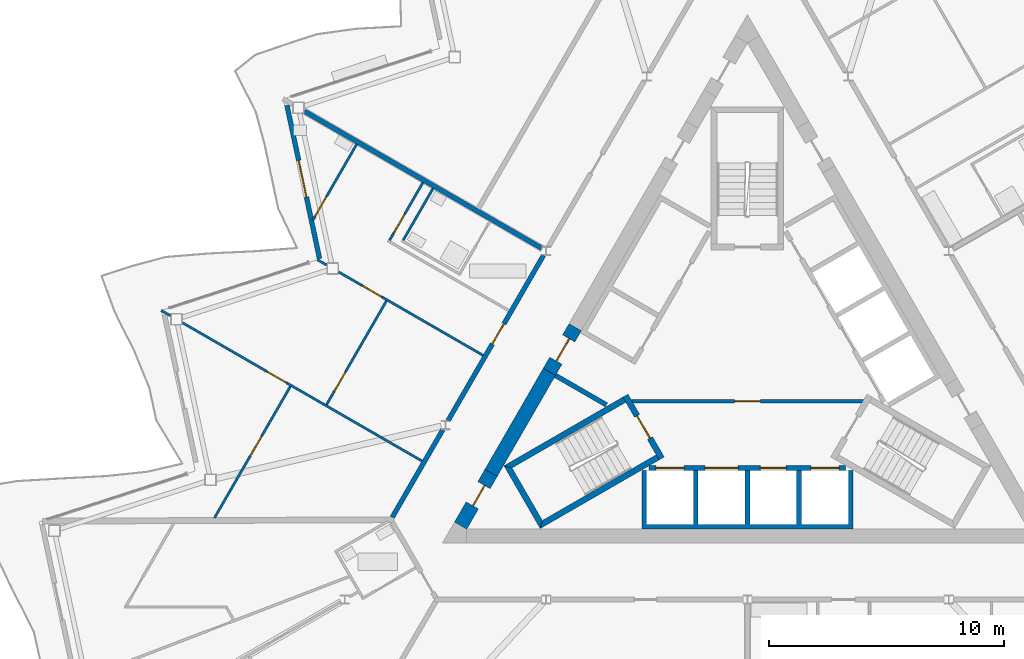
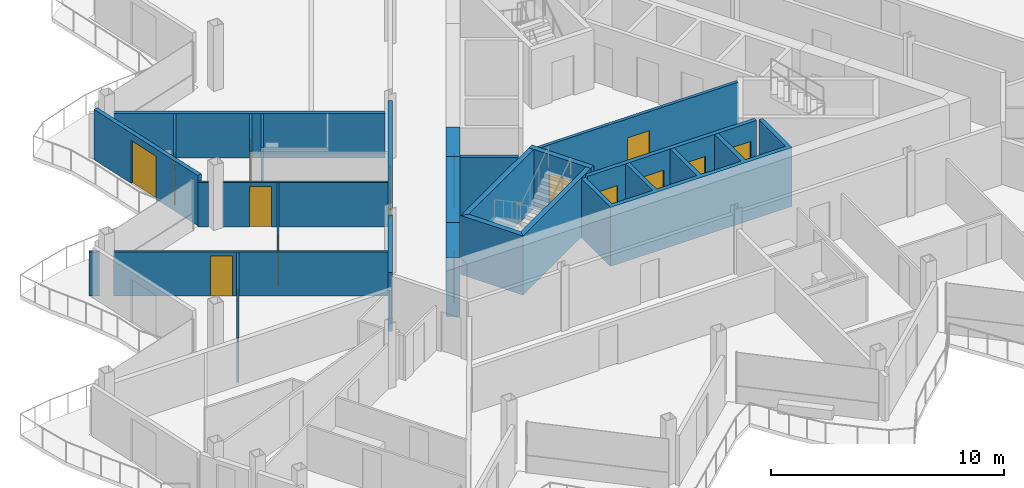
# One storey, part 13 of 26: 24 walls, 16 doors, 16 openings.
"""IFC4 building model written with IfcOpenShell, lengths in metres."""

from ifc_helpers import new_model, si_unit, direction, frame, frame_2d, origin, place, context, subcontext, project, spatial, polyline, rectangle, outline, extrude, material, layer, layer_set, type_object, element, fill, save


model = new_model("IFC4")

# Units and contexts
model_context = context("Model", 3, precision=1e-05, world=origin(), true_north=direction((0.0, 1.0)))
body_context = subcontext(model_context, "Body", "Model", "MODEL_VIEW")
ifc_project = project(units=[si_unit("LENGTHUNIT", "METRE"), si_unit("AREAUNIT", "SQUARE_METRE"), si_unit("VOLUMEUNIT", "CUBIC_METRE"), si_unit("PLANEANGLEUNIT", "RADIAN"), si_unit("MASSUNIT", "GRAM", prefix="KILO")], contexts=[model_context])

# Site, building, storey
site_placement = place(None, origin())
site = spatial("IfcSite", under=ifc_project, at=site_placement, CompositionType="ELEMENT")
building_placement = place(site_placement, origin())
building = spatial("IfcBuilding", under=site, at=building_placement, Name="Cormorant Prow Tower", CompositionType="ELEMENT")
storey_placement = place(building_placement, frame((0.0, 0.0, 367.800048828125)))
storey = spatial("IfcBuildingStorey", under=building, at=storey_placement, Name="L82", CompositionType="ELEMENT", Elevation=367.800048828125)

# Wall, opening, door
ifc_material_1 = material(Name="Gypsum board partition")
ifc_layer_1 = layer(ifc_material_1, 0.14990234375)
ifc_layer_set_1 = layer_set([ifc_layer_1], Name="Gypsum board partition")
wall_type_1 = type_object("IfcWallType", Name="Core partition 150", PredefinedType="PARTITIONING", material=ifc_layer_set_1)
wall_1_placement = place(storey_placement, frame((-4.941162109375, -1.449951171875, 0.0), z_axis=(0.0, 0.0, 1.0), x_axis=(1.0, 0.0, 0.0)))
wall_1 = element("IfcWall", 1, at=wall_1_placement, inside=storey, type_object=wall_type_1, Name="Firefighting lobby partition", PredefinedType="PARTITIONING", context=body_context, shape_type="SweptSolid", body=[
    extrude(rectangle(XDim=9.88232421875, YDim=0.14990234375, at=frame_2d((4.941162109375, 0.0))), origin(), (0.0, 0.0, 1.0), 3.099853515625),
])
opening_1_placement = place(wall_1_placement, frame((4.39111328125, 0.0, 0.0)))
opening_1 = element("IfcOpeningElement", 2, at=opening_1_placement, cuts=wall_1, Name="Opening L82-C11", PredefinedType="OPENING", context=body_context, shape_type="SweptSolid", body=[
    extrude(rectangle(XDim=1.10009765625, YDim=2.10009765625, at=frame_2d((0.550048828125, 1.050048828125))), frame((0.0, 0.0849609375, 0.0), z_axis=(0.0, -1.0, 0.0), x_axis=(1.0, 0.0, 0.0)), (0.0, 0.0, 1.0), 0.169921875),
])
ifc_material_2 = material(Name="Painted steel", Category="steel")
door_type_1 = type_object("IfcDoorType", Name="Firefighting lobby door 1100x2100", OperationType="NOTDEFINED", PredefinedType="DOOR", material=ifc_material_2)
door_1_placement = place(opening_1_placement, origin())
door_1 = element("IfcDoor", 3, at=door_1_placement, inside=storey, type_object=door_type_1, Name="Firefighting lobby door", OperationType="SINGLE_SWING_LEFT", OverallHeight=2.10009765625, OverallWidth=1.10009765625, PredefinedType="DOOR", context=body_context, shape_type="SweptSolid", body=[
    extrude(rectangle(XDim=1.10009765625, YDim=2.10009765625, at=frame_2d((0.550048828125, 1.050048828125))), frame((0.0, 0.02490234375, 0.0), z_axis=(0.0, -1.0, 0.0), x_axis=(1.0, 0.0, 0.0)), (0.0, 0.0, 1.0), 0.050048828125),
])
fill(opening_1, door_1)

# Wall
ifc_material_3 = material(Name="Concrete 8000 psi", Category="concrete")
ifc_layer_2 = layer(ifc_material_3, 0.60009765625)
ifc_layer_set_2 = layer_set([ifc_layer_2], Name="Concrete 8000 psi")
wall_type_2 = type_object("IfcWallType", Name="Core shear wall 600", PredefinedType="SHEAR", material=ifc_layer_set_2)
wall_2_placement = place(storey_placement, frame((-8.440185546875, -0.207763671875, 0.0), z_axis=(0.0, 0.0, 1.0), x_axis=(-0.500007425856, -0.866021116422, 0.0)))
element("IfcWall", 4, at=wall_2_placement, inside=storey, type_object=wall_type_2, Name="Core wall", PredefinedType="SHEAR", context=body_context, shape_type="SweptSolid", body=[
    extrude(rectangle(XDim=4.96875, YDim=0.60009765625, at=frame_2d((2.484375, 0.0))), origin(), (0.0, 0.0, 1.0), 3.099853515625),
])

# Wall, opening, door
wall_3_placement = place(storey_placement, frame((-10.924560546875, -4.5107421875, 0.0), z_axis=(0.0, 0.0, 1.0), x_axis=(-0.500018667571, -0.866014625789, 0.0)))
wall_3 = element("IfcWall", 5, at=wall_3_placement, inside=storey, type_object=wall_type_2, Name="Core wall door panel", PredefinedType="SHEAR", context=body_context, shape_type="SweptSolid", body=[
    extrude(rectangle(XDim=2.59228515625, YDim=0.60009765625, at=frame_2d((1.296142578125, 0.0))), origin(), (0.0, 0.0, 1.0), 3.099853515625),
])
opening_2_placement = place(wall_3_placement, frame((0.60009765625, 0.0, 0.0)))
opening_2 = element("IfcOpeningElement", 6, at=opening_2_placement, cuts=wall_3, Name="Opening L82-C15", PredefinedType="OPENING", context=body_context, shape_type="SweptSolid", body=[
    extrude(rectangle(XDim=1.0, YDim=2.10009765625, at=frame_2d((0.5, 1.050048828125))), frame((0.0, 0.31005859375, 0.0), z_axis=(0.0, -1.0, 0.0), x_axis=(1.0, 0.0, 0.0)), (0.0, 0.0, 1.0), 0.6201171875),
])
ifc_material_4 = material(Name="Painted steel", Category="steel")
door_type_2 = type_object("IfcDoorType", Name="Service door 1000x2100", OperationType="NOTDEFINED", PredefinedType="DOOR", material=ifc_material_4)
door_2_placement = place(opening_2_placement, origin())
door_2 = element("IfcDoor", 7, at=door_2_placement, inside=storey, type_object=door_type_2, Name="Core door, Electrical room", OperationType="SINGLE_SWING_RIGHT", OverallHeight=2.10009765625, OverallWidth=1.0, PredefinedType="DOOR", context=body_context, shape_type="SweptSolid", body=[
    extrude(rectangle(XDim=1.0, YDim=2.10009765625, at=frame_2d((0.5, 1.050048828125))), frame((0.0, 0.05517578125, 0.0), z_axis=(0.0, -1.0, 0.0), x_axis=(1.0, 0.0, 0.0)), (0.0, 0.0, 1.0), 0.050048828125),
])
fill(opening_2, door_2)

wall_4_placement = place(storey_placement, frame((-7.340087890625, 1.697509765625, 0.0), z_axis=(0.0, 0.0, 1.0), x_axis=(-0.50002983664, -0.866008176907, 0.0)))
wall_4 = element("IfcWall", 8, at=wall_4_placement, inside=storey, type_object=wall_type_2, Name="Core wall door panel", PredefinedType="SHEAR", context=body_context, shape_type="SweptSolid", body=[
    extrude(rectangle(XDim=2.199951171875, YDim=0.60009765625, at=frame_2d((1.10009765625, 0.0))), origin(), (0.0, 0.0, 1.0), 3.099853515625),
])
opening_3_placement = place(wall_4_placement, frame((0.550048828125, 0.0, 0.0)))
opening_3 = element("IfcOpeningElement", 9, at=opening_3_placement, cuts=wall_4, Name="Opening L82-C20", PredefinedType="OPENING", context=body_context, shape_type="SweptSolid", body=[
    extrude(rectangle(XDim=1.10009765625, YDim=2.10009765625, at=frame_2d((0.550048828125, 1.050048828125))), frame((0.0, 0.31005859375, 0.0), z_axis=(0.0, -1.0, 0.0), x_axis=(1.0, 0.0, 0.0)), (0.0, 0.0, 1.0), 0.6201171875),
])
ifc_material_5 = material(Name="Painted steel", Category="steel")
door_type_3 = type_object("IfcDoorType", Name="Core door 1100x2100", OperationType="NOTDEFINED", PredefinedType="DOOR", material=ifc_material_5)
door_3_placement = place(opening_3_placement, origin())
door_3 = element("IfcDoor", 10, at=door_3_placement, inside=storey, type_object=door_type_3, Name="Core door, lift lobby", OperationType="SINGLE_SWING_RIGHT", OverallHeight=2.10009765625, OverallWidth=1.10009765625, PredefinedType="DOOR", context=body_context, shape_type="SweptSolid", body=[
    extrude(rectangle(XDim=1.10009765625, YDim=2.10009765625, at=frame_2d((0.550048828125, 1.050048828125))), frame((0.0, 0.05517578125, 0.0), z_axis=(0.0, -1.0, 0.0), x_axis=(1.0, 0.0, 0.0)), (0.0, 0.0, 1.0), 0.050048828125),
])
fill(opening_3, door_3)

ifc_material_6 = material(Name="Gypsum board corridor wall")
ifc_layer_3 = layer(ifc_material_6, 0.199951171875)
ifc_layer_set_3 = layer_set([ifc_layer_3], Name="Gypsum board corridor wall")
wall_type_3 = type_object("IfcWallType", Name="Corridor wall 200", PredefinedType="PARTITIONING", material=ifc_layer_set_3)
wall_5_placement = place(storey_placement, frame((-12.75390625, -2.279296875, 0.0), z_axis=(0.0, 0.0, 1.0), x_axis=(0.500001682468, 0.866024432409, 0.0)))
wall_5 = element("IfcWall", 11, at=wall_5_placement, inside=storey, type_object=wall_type_3, Name="Corridor wall", PredefinedType="PARTITIONING", context=body_context, shape_type="SweptSolid", body=[
    extrude(rectangle(XDim=8.12353515625, YDim=0.199951171875, at=frame_2d((4.061767578125, 0.0))), origin(), (0.0, 0.0, 1.0), 3.099853515625),
])
opening_4_placement = place(wall_5_placement, frame((3.762451171875, 0.0, 0.0)))
opening_4 = element("IfcOpeningElement", 12, at=opening_4_placement, cuts=wall_5, Name="Opening L82-F37", PredefinedType="OPENING", context=body_context, shape_type="SweptSolid", body=[
    extrude(rectangle(XDim=1.0, YDim=2.10009765625, at=frame_2d((0.5, 1.050048828125))), frame((0.0, 0.10986328125, 0.0), z_axis=(0.0, -1.0, 0.0), x_axis=(1.0, 0.0, 0.0)), (0.0, 0.0, 1.0), 0.219970703125),
])
ifc_material_7 = material(Name="Timber door leaf", Category="wood")
door_type_4 = type_object("IfcDoorType", Name="Flat or room entrance door 1000x2100", OperationType="NOTDEFINED", PredefinedType="DOOR", material=ifc_material_7)
door_4_placement = place(opening_4_placement, origin())
door_4 = element("IfcDoor", 13, at=door_4_placement, inside=storey, type_object=door_type_4, Name="Living room door", OperationType="SINGLE_SWING_LEFT", OverallHeight=2.10009765625, OverallWidth=1.0, PredefinedType="DOOR", context=body_context, shape_type="SweptSolid", body=[
    extrude(rectangle(XDim=1.0, YDim=2.10009765625, at=frame_2d((0.5, 1.050048828125))), frame((0.0, 0.02490234375, 0.0), z_axis=(0.0, -1.0, 0.0), x_axis=(1.0, 0.0, 0.0)), (0.0, 0.0, 1.0), 0.050048828125),
])
fill(opening_4, door_4)

# Walls
wall_6_placement = place(storey_placement, frame((-15.13134765625, -6.397216796875, 0.0), z_axis=(0.0, 0.0, 1.0), x_axis=(0.499986217557, 0.866033360935, 0.0)))
element("IfcWall", 14, at=wall_6_placement, inside=storey, type_object=wall_type_3, Name="Corridor wall", PredefinedType="PARTITIONING", context=body_context, shape_type="SweptSolid", body=[
    extrude(rectangle(XDim=4.2998046875, YDim=0.199951171875, at=frame_2d((2.14990234375, 0.0))), origin(), (0.0, 0.0, 1.0), 3.099853515625),
])
ifc_material_8 = material(Name="Gypsum board demising wall")
ifc_layer_4 = layer(ifc_material_8, 0.199951171875)
ifc_layer_set_4 = layer_set([ifc_layer_4], Name="Gypsum board demising wall")
wall_type_4 = type_object("IfcWallType", Name="Demising wall 200", PredefinedType="PARTITIONING", material=ifc_layer_set_4)
wall_7_placement = place(storey_placement, frame((-18.86865234375, 10.893798828125, 0.0), z_axis=(0.0, 0.0, 1.0), x_axis=(0.866023724155, -0.500002909193, 0.0)))
element("IfcWall", 15, at=wall_7_placement, inside=storey, type_object=wall_type_4, Name="Demising wall", PredefinedType="PARTITIONING", context=body_context, shape_type="SweptSolid", body=[
    extrude(rectangle(XDim=11.65478515625, YDim=0.199951171875, at=frame_2d((5.827392578125, 0.0))), origin(), (0.0, 0.0, 1.0), 2.330078125),
])

# Wall, opening, door
ifc_material_9 = material(Name="Gypsum board partition")
ifc_layer_5 = layer(ifc_material_9, 0.10009765625)
ifc_layer_set_5 = layer_set([ifc_layer_5], Name="Gypsum board partition")
wall_type_5 = type_object("IfcWallType", Name="Internal partition 100", PredefinedType="PARTITIONING", material=ifc_layer_set_5)
wall_8_placement = place(storey_placement, frame((-24.068603515625, 1.88720703125, 0.0), z_axis=(0.0, 0.0, 1.0), x_axis=(0.866023404247, -0.500003463284, 0.0)))
wall_8 = element("IfcWall", 16, at=wall_8_placement, inside=storey, type_object=wall_type_5, Name="Internal partition", PredefinedType="PARTITIONING", context=body_context, shape_type="SweptSolid", body=[
    extrude(rectangle(XDim=11.7822265625, YDim=0.10009765625, at=frame_2d((5.89111328125, 0.0))), origin(), (0.0, 0.0, 1.0), 2.330078125),
])
opening_5_placement = place(wall_8_placement, frame((4.162109375, 0.0, 0.0)))
opening_5 = element("IfcOpeningElement", 17, at=opening_5_placement, cuts=wall_8, Name="Opening L82-F42", PredefinedType="OPENING", context=body_context, shape_type="SweptSolid", body=[
    extrude(rectangle(XDim=0.949951171875, YDim=2.10009765625, at=frame_2d((0.47509765625, 1.050048828125))), frame((0.0, 0.06005859375, 0.0), z_axis=(0.0, -1.0, 0.0), x_axis=(1.0, 0.0, 0.0)), (0.0, 0.0, 1.0), 0.1201171875),
])
ifc_material_10 = material(Name="Timber door leaf", Category="wood")
door_type_5 = type_object("IfcDoorType", Name="Bathroom door 950x2100", OperationType="NOTDEFINED", PredefinedType="DOOR", material=ifc_material_10)
door_5_placement = place(opening_5_placement, origin())
door_5 = element("IfcDoor", 18, at=door_5_placement, inside=storey, type_object=door_type_5, Name="Bedroom door", OperationType="SINGLE_SWING_RIGHT", OverallHeight=2.10009765625, OverallWidth=0.949951171875, PredefinedType="DOOR", context=body_context, shape_type="SweptSolid", body=[
    extrude(rectangle(XDim=0.949951171875, YDim=2.10009765625, at=frame_2d((0.47509765625, 1.050048828125))), frame((0.0, 0.02490234375, 0.0), z_axis=(0.0, -1.0, 0.0), x_axis=(1.0, 0.0, 0.0)), (0.0, 0.0, 1.0), 0.050048828125),
])
fill(opening_5, door_5)

wall_9_placement = place(storey_placement, frame((-17.413818359375, 4.04931640625, 0.0), z_axis=(0.0, 0.0, 1.0), x_axis=(0.866033839264, -0.499985389037, 0.0)))
wall_9 = element("IfcWall", 19, at=wall_9_placement, inside=storey, type_object=wall_type_5, Name="Internal partition", PredefinedType="PARTITIONING", context=body_context, shape_type="SweptSolid", body=[
    extrude(rectangle(XDim=7.099853515625, YDim=0.10009765625, at=frame_2d((3.5498046875, 0.0))), origin(), (0.0, 0.0, 1.0), 2.330078125),
])
opening_6_placement = place(wall_9_placement, frame((1.157958984375, 0.0, 0.0)))
opening_6 = element("IfcOpeningElement", 20, at=opening_6_placement, cuts=wall_9, Name="Opening L82-F40", PredefinedType="OPENING", context=body_context, shape_type="SweptSolid", body=[
    extrude(rectangle(XDim=0.949951171875, YDim=2.10009765625, at=frame_2d((0.47509765625, 1.050048828125))), frame((0.0, 0.06005859375, 0.0), z_axis=(0.0, -1.0, 0.0), x_axis=(1.0, 0.0, 0.0)), (0.0, 0.0, 1.0), 0.1201171875),
])
door_6_placement = place(opening_6_placement, origin())
door_6 = element("IfcDoor", 21, at=door_6_placement, inside=storey, type_object=door_type_5, Name="Living room door", OperationType="SINGLE_SWING_RIGHT", OverallHeight=2.10009765625, OverallWidth=0.949951171875, PredefinedType="DOOR", context=body_context, shape_type="SweptSolid", body=[
    extrude(rectangle(XDim=0.949951171875, YDim=2.10009765625, at=frame_2d((0.47509765625, 1.050048828125))), frame((0.0, 0.02490234375, 0.0), z_axis=(0.0, -1.0, 0.0), x_axis=(1.0, 0.0, 0.0)), (0.0, 0.0, 1.0), 0.050048828125),
])
fill(opening_6, door_6)

wall_10_placement = place(storey_placement, frame((-22.7099609375, -6.42919921875, 0.0), z_axis=(0.0, 0.0, 1.0), x_axis=(0.499984737558, 0.86603421538, 0.0)))
wall_10 = element("IfcWall", 22, at=wall_10_placement, inside=storey, type_object=wall_type_5, Name="Internal partition", PredefinedType="PARTITIONING", context=body_context, shape_type="SweptSolid", body=[
    extrude(rectangle(XDim=6.472900390625, YDim=0.10009765625, at=frame_2d((3.236328125, 0.0))), origin(), (0.0, 0.0, 1.0), 2.330078125),
])
opening_7_placement = place(wall_10_placement, frame((3.062744140625, 0.0, 0.0)))
opening_7 = element("IfcOpeningElement", 23, at=opening_7_placement, cuts=wall_10, Name="Opening L82-F43", PredefinedType="OPENING", context=body_context, shape_type="SweptSolid", body=[
    extrude(rectangle(XDim=0.949951171875, YDim=2.10009765625, at=frame_2d((0.47509765625, 1.050048828125))), frame((0.0, 0.06005859375, 0.0), z_axis=(0.0, -1.0, 0.0), x_axis=(1.0, 0.0, 0.0)), (0.0, 0.0, 1.0), 0.1201171875),
])
door_7_placement = place(opening_7_placement, origin())
door_7 = element("IfcDoor", 24, at=door_7_placement, inside=storey, type_object=door_type_5, Name="Bedroom door", OperationType="SINGLE_SWING_LEFT", OverallHeight=2.10009765625, OverallWidth=0.949951171875, PredefinedType="DOOR", context=body_context, shape_type="SweptSolid", body=[
    extrude(rectangle(XDim=0.949951171875, YDim=2.10009765625, at=frame_2d((0.47509765625, 1.050048828125))), frame((0.0, 0.02490234375, 0.0), z_axis=(0.0, -1.0, 0.0), x_axis=(1.0, 0.0, 0.0)), (0.0, 0.0, 1.0), 0.050048828125),
])
fill(opening_7, door_7)

wall_11_placement = place(storey_placement, frame((-17.930908203125, -1.598876953125, 0.0), z_axis=(0.0, 0.0, 1.0), x_axis=(0.500005610874, 0.86602216432, 0.0)))
wall_11 = element("IfcWall", 25, at=wall_11_placement, inside=storey, type_object=wall_type_5, Name="Internal partition", PredefinedType="PARTITIONING", context=body_context, shape_type="SweptSolid", body=[
    extrude(rectangle(XDim=5.10009765625, YDim=0.10009765625, at=frame_2d((2.550048828125, 0.0))), origin(), (0.0, 0.0, 1.0), 2.330078125),
])
opening_8_placement = place(wall_11_placement, frame((0.655517578125, 0.0, 0.0)))
opening_8 = element("IfcOpeningElement", 26, at=opening_8_placement, cuts=wall_11, Name="Opening L82-F41", PredefinedType="OPENING", context=body_context, shape_type="SweptSolid", body=[
    extrude(rectangle(XDim=0.949951171875, YDim=2.10009765625, at=frame_2d((0.47509765625, 1.050048828125))), frame((0.0, 0.06005859375, 0.0), z_axis=(0.0, -1.0, 0.0), x_axis=(1.0, 0.0, 0.0)), (0.0, 0.0, 1.0), 0.1201171875),
])
door_8_placement = place(opening_8_placement, origin())
door_8 = element("IfcDoor", 27, at=door_8_placement, inside=storey, type_object=door_type_5, Name="Bedroom door", OperationType="SINGLE_SWING_LEFT", OverallHeight=2.10009765625, OverallWidth=0.949951171875, PredefinedType="DOOR", context=body_context, shape_type="SweptSolid", body=[
    extrude(rectangle(XDim=0.949951171875, YDim=2.10009765625, at=frame_2d((0.47509765625, 1.050048828125))), frame((0.0, 0.02490234375, 0.0), z_axis=(0.0, -1.0, 0.0), x_axis=(1.0, 0.0, 0.0)), (0.0, 0.0, 1.0), 0.050048828125),
])
fill(opening_8, door_8)

wall_12_placement = place(storey_placement, frame((-18.522705078125, 6.24658203125, 0.0), z_axis=(0.0, 0.0, 1.0), x_axis=(0.499981580887, 0.866036037803, 0.0)))
wall_12 = element("IfcWall", 28, at=wall_12_placement, inside=storey, type_object=wall_type_5, Name="Internal partition", PredefinedType="PARTITIONING", context=body_context, shape_type="SweptSolid", body=[
    extrude(rectangle(XDim=3.751708984375, YDim=0.10009765625, at=frame_2d((1.8759765625, 0.0))), origin(), (0.0, 0.0, 1.0), 2.330078125),
])
opening_9_placement = place(wall_12_placement, frame((0.222412109375, 0.0, 0.0)))
opening_9 = element("IfcOpeningElement", 29, at=opening_9_placement, cuts=wall_12, Name="Opening L82-F38", PredefinedType="OPENING", context=body_context, shape_type="SweptSolid", body=[
    extrude(rectangle(XDim=0.949951171875, YDim=2.10009765625, at=frame_2d((0.47509765625, 1.050048828125))), frame((0.0, 0.06005859375, 0.0), z_axis=(0.0, -1.0, 0.0), x_axis=(1.0, 0.0, 0.0)), (0.0, 0.0, 1.0), 0.1201171875),
])
door_9_placement = place(opening_9_placement, origin())
door_9 = element("IfcDoor", 30, at=door_9_placement, inside=storey, type_object=door_type_5, Name="Living room door", OperationType="SINGLE_SWING_LEFT", OverallHeight=2.10009765625, OverallWidth=0.949951171875, PredefinedType="DOOR", context=body_context, shape_type="SweptSolid", body=[
    extrude(rectangle(XDim=0.949951171875, YDim=2.10009765625, at=frame_2d((0.47509765625, 1.050048828125))), frame((0.0, 0.02490234375, 0.0), z_axis=(0.0, -1.0, 0.0), x_axis=(1.0, 0.0, 0.0)), (0.0, 0.0, 1.0), 0.050048828125),
])
fill(opening_9, door_9)

wall_13_placement = place(storey_placement, frame((-15.24951171875, 5.39794921875, 0.0), z_axis=(0.0, 0.0, 1.0), x_axis=(0.499935029643, 0.866062911188, 0.0)))
wall_13 = element("IfcWall", 31, at=wall_13_placement, inside=storey, type_object=wall_type_5, Name="Internal partition", PredefinedType="PARTITIONING", context=body_context, shape_type="SweptSolid", body=[
    extrude(rectangle(XDim=2.85009765625, YDim=0.10009765625, at=frame_2d((1.425048828125, 0.0))), origin(), (0.0, 0.0, 1.0), 2.330078125),
])
opening_10_placement = place(wall_13_placement, frame((0.35009765625, 0.0, 0.0)))
opening_10 = element("IfcOpeningElement", 32, at=opening_10_placement, cuts=wall_13, Name="Opening L82-F39", PredefinedType="OPENING", context=body_context, shape_type="SweptSolid", body=[
    extrude(rectangle(XDim=0.949951171875, YDim=2.10009765625, at=frame_2d((0.47509765625, 1.050048828125))), frame((0.0, 0.06005859375, 0.0), z_axis=(0.0, -1.0, 0.0), x_axis=(1.0, 0.0, 0.0)), (0.0, 0.0, 1.0), 0.1201171875),
])
door_10_placement = place(opening_10_placement, origin())
door_10 = element("IfcDoor", 33, at=door_10_placement, inside=storey, type_object=door_type_5, Name="Living room door", OperationType="SINGLE_SWING_LEFT", OverallHeight=2.10009765625, OverallWidth=0.949951171875, PredefinedType="DOOR", context=body_context, shape_type="SweptSolid", body=[
    extrude(rectangle(XDim=0.949951171875, YDim=2.10009765625, at=frame_2d((0.47509765625, 1.050048828125))), frame((0.0, 0.02490234375, 0.0), z_axis=(0.0, -1.0, 0.0), x_axis=(1.0, 0.0, 0.0)), (0.0, 0.0, 1.0), 0.050048828125),
])
fill(opening_10, door_10)

# Walls
wall_14_placement = place(storey_placement, frame((-14.66650390625, 5.40771484375, 0.0), z_axis=(0.0, 0.0, 1.0), x_axis=(0.499948979701, 0.866054858364, 0.0)))
element("IfcWall", 34, at=wall_14_placement, inside=storey, type_object=wall_type_5, Name="Internal partition", PredefinedType="PARTITIONING", context=body_context, shape_type="SweptSolid", body=[
    extrude(rectangle(XDim=2.550048828125, YDim=0.10009765625, at=frame_2d((1.27490234375, 0.0))), origin(), (0.0, 0.0, 1.0), 2.330078125),
])
for number, where, z_axis, x_axis, name in (
    (35, (-24.9794921875, 2.4130859375, 0.0), (0.0, 0.0, 1.0), (0.866104518135, -0.499862944882, 0.0), "Internal partition"),
    (36, (-18.32470703125, 4.5751953125, 0.0), (0.0, 0.0, 1.0), (0.866104518135, -0.499862944882, 0.0), "Internal partition"),
):
    element("IfcWall", number, at=place(storey_placement, frame(where, z_axis=z_axis, x_axis=x_axis)), inside=storey, type_object=wall_type_5, Name=name, PredefinedType="PARTITIONING", context=body_context, shape_type="SweptSolid", body=[
        extrude(rectangle(XDim=0.451416015625, YDim=0.10009765625, at=frame_2d((0.2255859375, 0.0))), origin(), (0.0, 0.0, 1.0), 2.330078125),
    ])

# Wall, openings, doors
ifc_material_11 = material(Name="Concrete 5000 psi", Category="concrete")
ifc_layer_6 = layer(ifc_material_11, 0.199951171875)
ifc_layer_set_6 = layer_set([ifc_layer_6], Name="Concrete 5000 psi")
wall_type_6 = type_object("IfcWallType", Name="Lift lobby wall 200", PredefinedType="SOLIDWALL", material=ifc_layer_set_6)
wall_15_placement = place(storey_placement, frame((-4.1865234375, -4.300048828125, 0.0), z_axis=(0.0, 0.0, 1.0), x_axis=(1.0, 0.0, 0.0)))
wall_15 = element("IfcWall", 37, at=wall_15_placement, inside=storey, type_object=wall_type_6, Name="Lift lobby wall, S block", PredefinedType="SOLIDWALL", context=body_context, shape_type="SweptSolid", body=[
    extrude(rectangle(XDim=8.373046875, YDim=0.199951171875, at=frame_2d((4.1865234375, 0.0))), origin(), (0.0, 0.0, 1.0), 3.099853515625),
])
opening_11_placement = place(wall_15_placement, frame((0.28662109375, 0.0, 0.0)))
opening_11 = element("IfcOpeningElement", 38, at=opening_11_placement, cuts=wall_15, Name="Opening L82-C01", PredefinedType="OPENING", context=body_context, shape_type="SweptSolid", body=[
    extrude(rectangle(XDim=1.199951171875, YDim=2.10009765625, at=frame_2d((0.60009765625, 1.050048828125))), frame((0.0, 0.10986328125, 0.0), z_axis=(0.0, -1.0, 0.0), x_axis=(1.0, 0.0, 0.0)), (0.0, 0.0, 1.0), 0.219970703125),
])
opening_12_placement = place(wall_15_placement, frame((2.38671875, 0.0, 0.0)))
opening_12 = element("IfcOpeningElement", 39, at=opening_12_placement, cuts=wall_15, Name="Opening L82-C02", PredefinedType="OPENING", context=body_context, shape_type="SweptSolid", body=[
    extrude(rectangle(XDim=1.39990234375, YDim=2.10009765625, at=frame_2d((0.699951171875, 1.050048828125))), frame((0.0, 0.10986328125, 0.0), z_axis=(0.0, -1.0, 0.0), x_axis=(1.0, 0.0, 0.0)), (0.0, 0.0, 1.0), 0.219970703125),
])
opening_13_placement = place(wall_15_placement, frame((4.736572265625, 0.0, 0.0)))
opening_13 = element("IfcOpeningElement", 40, at=opening_13_placement, cuts=wall_15, Name="Opening L82-C03", PredefinedType="OPENING", context=body_context, shape_type="SweptSolid", body=[
    extrude(rectangle(XDim=1.10009765625, YDim=2.10009765625, at=frame_2d((0.550048828125, 1.050048828125))), frame((0.0, 0.10986328125, 0.0), z_axis=(0.0, -1.0, 0.0), x_axis=(1.0, 0.0, 0.0)), (0.0, 0.0, 1.0), 0.219970703125),
])
opening_14_placement = place(wall_15_placement, frame((6.88671875, 0.0, 0.0)))
opening_14 = element("IfcOpeningElement", 41, at=opening_14_placement, cuts=wall_15, Name="Opening L82-C04", PredefinedType="OPENING", context=body_context, shape_type="SweptSolid", body=[
    extrude(rectangle(XDim=1.199951171875, YDim=2.10009765625, at=frame_2d((0.60009765625, 1.050048828125))), frame((0.0, 0.10986328125, 0.0), z_axis=(0.0, -1.0, 0.0), x_axis=(1.0, 0.0, 0.0)), (0.0, 0.0, 1.0), 0.219970703125),
])
ifc_material_12 = material(Name="Painted steel", Category="steel")
door_type_6 = type_object("IfcDoorType", Name="Firefighting lift landing door 1200x2100", OperationType="SLIDING_TO_LEFT", PredefinedType="DOOR", material=ifc_material_12)
door_11_placement = place(opening_11_placement, origin())
door_11 = element("IfcDoor", 42, at=door_11_placement, inside=storey, type_object=door_type_6, Name="Landing door FL1", OperationType="SLIDING_TO_LEFT", OverallHeight=2.10009765625, OverallWidth=1.199951171875, PredefinedType="DOOR", context=body_context, shape_type="SweptSolid", body=[
    extrude(rectangle(XDim=1.199951171875, YDim=2.10009765625, at=frame_2d((0.60009765625, 1.050048828125))), frame((0.0, 0.02490234375, 0.0), z_axis=(0.0, -1.0, 0.0), x_axis=(1.0, 0.0, 0.0)), (0.0, 0.0, 1.0), 0.050048828125),
])
fill(opening_11, door_11)
door_12_placement = place(opening_14_placement, origin())
door_12 = element("IfcDoor", 43, at=door_12_placement, inside=storey, type_object=door_type_6, Name="Landing door FL2", OperationType="SLIDING_TO_LEFT", OverallHeight=2.10009765625, OverallWidth=1.199951171875, PredefinedType="DOOR", context=body_context, shape_type="SweptSolid", body=[
    extrude(rectangle(XDim=1.199951171875, YDim=2.10009765625, at=frame_2d((0.60009765625, 1.050048828125))), frame((0.0, 0.02490234375, 0.0), z_axis=(0.0, -1.0, 0.0), x_axis=(1.0, 0.0, 0.0)), (0.0, 0.0, 1.0), 0.050048828125),
])
fill(opening_14, door_12)
ifc_material_13 = material(Name="Painted steel", Category="steel")
door_type_7 = type_object("IfcDoorType", Name="Lift landing door 1100x2100", OperationType="SLIDING_TO_LEFT", PredefinedType="DOOR", material=ifc_material_13)
door_13_placement = place(opening_13_placement, origin())
door_13 = element("IfcDoor", 44, at=door_13_placement, inside=storey, type_object=door_type_7, Name="Landing door HR1", OperationType="SLIDING_TO_LEFT", OverallHeight=2.10009765625, OverallWidth=1.10009765625, PredefinedType="DOOR", context=body_context, shape_type="SweptSolid", body=[
    extrude(rectangle(XDim=1.10009765625, YDim=2.10009765625, at=frame_2d((0.550048828125, 1.050048828125))), frame((0.0, 0.02490234375, 0.0), z_axis=(0.0, -1.0, 0.0), x_axis=(1.0, 0.0, 0.0)), (0.0, 0.0, 1.0), 0.050048828125),
])
fill(opening_13, door_13)
ifc_material_14 = material(Name="Painted steel", Category="steel")
door_type_8 = type_object("IfcDoorType", Name="Service lift landing door 1400x2100", OperationType="SLIDING_TO_LEFT", PredefinedType="DOOR", material=ifc_material_14)
door_14_placement = place(opening_12_placement, origin())
door_14 = element("IfcDoor", 45, at=door_14_placement, inside=storey, type_object=door_type_8, Name="Landing door SL1", OperationType="SLIDING_TO_LEFT", OverallHeight=2.10009765625, OverallWidth=1.39990234375, PredefinedType="DOOR", context=body_context, shape_type="SweptSolid", body=[
    extrude(rectangle(XDim=1.39990234375, YDim=2.10009765625, at=frame_2d((0.699951171875, 1.050048828125))), frame((0.0, 0.02490234375, 0.0), z_axis=(0.0, -1.0, 0.0), x_axis=(1.0, 0.0, 0.0)), (0.0, 0.0, 1.0), 0.050048828125),
])
fill(opening_12, door_14)

# Walls
ifc_material_15 = material(Name="Concrete 8000 psi", Category="concrete")
ifc_layer_7 = layer(ifc_material_15, 0.199951171875)
ifc_layer_set_7 = layer_set([ifc_layer_7], Name="Concrete 8000 psi")
wall_type_7 = type_object("IfcWallType", Name="Lift shaft wall 200", PredefinedType="SHEAR", material=ifc_layer_set_7)
wall_16_placement = place(storey_placement, origin())
element("IfcWall", 46, at=wall_16_placement, inside=storey, type_object=wall_type_7, Name="Lift shaft walls, S block", PredefinedType="SHEAR", context=body_context, shape_type="SweptSolid", body=[
    extrude(outline(polyline([(4.5, -4.39990234375), (4.5, -6.906005859375), (-4.5, -6.906005859375), (-4.5, -4.39990234375), (-4.300048828125, -4.39990234375), (-4.300048828125, -6.699951171875), (-2.300048828125, -6.699951171875), (-2.300048828125, -4.39990234375), (-2.10009765625, -4.39990234375), (-2.10009765625, -6.699951171875), (-0.10009765625, -6.699951171875), (-0.10009765625, -4.39990234375), (0.10009765625, -4.39990234375), (0.10009765625, -6.699951171875), (2.10009765625, -6.699951171875), (2.10009765625, -4.39990234375), (2.300048828125, -4.39990234375), (2.300048828125, -6.699951171875), (4.300048828125, -6.699951171875), (4.300048828125, -4.39990234375), (4.5, -4.39990234375)])), origin(), (0.0, 0.0, 1.0), 3.099853515625),
])
wall_17_placement = place(storey_placement, origin())
element("IfcWall", 47, at=wall_17_placement, inside=storey, type_object=wall_type_7, Name="Lift shaft walls, WNW block", PredefinedType="SHEAR", context=body_context, shape_type="SweptSolid", body=[
    extrude(outline(polyline([(-6.060546875, -1.697021484375), (-8.230712890625, -0.444091796875), (-8.130859375, -0.27099609375), (-5.96044921875, -1.52392578125), (-6.060546875, -1.697021484375)])), origin(), (0.0, 0.0, 1.0), 3.099853515625),
])
ifc_material_16 = material(Name="Concrete 8000 psi", Category="concrete")
ifc_layer_8 = layer(ifc_material_16, 0.25)
ifc_layer_set_8 = layer_set([ifc_layer_8], Name="Concrete 8000 psi")
wall_type_8 = type_object("IfcWallType", Name="Stair wall 250", PredefinedType="SHEAR", material=ifc_layer_set_8)
wall_18_placement = place(storey_placement, origin())
element("IfcWall", 48, at=wall_18_placement, inside=storey, type_object=wall_type_8, Name="Stair ST1 enclosure wall (flank)", PredefinedType="SHEAR", context=body_context, shape_type="SweptSolid", body=[
    extrude(outline(polyline([(-5.30712890625, -1.28125), (-10.37353515625, -4.206298828125), (-10.031982421875, -4.2978515625), (-5.18212890625, -1.497802734375), (-5.30712890625, -1.28125)])), origin(), (0.0, 0.0, 1.0), 3.099853515625),
])
wall_19_placement = place(storey_placement, origin())
element("IfcWall", 49, at=wall_19_placement, inside=storey, type_object=wall_type_8, Name="Stair ST1 enclosure wall (end)", PredefinedType="SHEAR", context=body_context, shape_type="SweptSolid", body=[
    extrude(outline(polyline([(-10.37353515625, -4.206298828125), (-8.82958984375, -6.880615234375), (-8.738037109375, -6.5390625), (-10.031982421875, -4.2978515625), (-10.37353515625, -4.206298828125)])), origin(), (0.0, 0.0, 1.0), 3.099853515625),
])
wall_20_placement = place(storey_placement, origin())
element("IfcWall", 50, at=wall_20_placement, inside=storey, type_object=wall_type_8, Name="Stair ST1 enclosure wall (flank)", PredefinedType="SHEAR", context=body_context, shape_type="SweptSolid", body=[
    extrude(outline(polyline([(-8.738037109375, -6.5390625), (-8.82958984375, -6.880615234375), (-3.76318359375, -3.95556640625), (-3.88818359375, -3.739013671875), (-8.738037109375, -6.5390625)])), origin(), (0.0, 0.0, 1.0), 3.099853515625),
])

# Wall, opening, door
wall_21_placement = place(storey_placement, frame((-5.198974609375, -1.21875, 0.0), z_axis=(0.0, 0.0, 1.0), x_axis=(0.499982516597, -0.866035497597, 0.0)))
wall_21 = element("IfcWall", 51, at=wall_21_placement, inside=storey, type_object=wall_type_8, Name="Stair ST1 door wall", PredefinedType="SHEAR", context=body_context, shape_type="SweptSolid", body=[
    extrude(rectangle(XDim=3.087890625, YDim=0.25, at=frame_2d((1.5439453125, 0.0))), origin(), (0.0, 0.0, 1.0), 3.099853515625),
])
opening_15_placement = place(wall_21_placement, frame((0.993896484375, 0.0, 0.0)))
opening_15 = element("IfcOpeningElement", 52, at=opening_15_placement, cuts=wall_21, Name="Opening L82-C12", PredefinedType="OPENING", context=body_context, shape_type="SweptSolid", body=[
    extrude(rectangle(XDim=1.10009765625, YDim=2.10009765625, at=frame_2d((0.550048828125, 1.050048828125))), frame((0.0, 0.135009765625, 0.0), z_axis=(0.0, -1.0, 0.0), x_axis=(1.0, 0.0, 0.0)), (0.0, 0.0, 1.0), 0.27001953125),
])
ifc_material_17 = material(Name="Painted steel", Category="steel")
door_type_9 = type_object("IfcDoorType", Name="Stair door 1100x2100", OperationType="NOTDEFINED", PredefinedType="DOOR", material=ifc_material_17)
door_15_placement = place(opening_15_placement, origin())
door_15 = element("IfcDoor", 53, at=door_15_placement, inside=storey, type_object=door_type_9, Name="Stair ST1 door", OperationType="SINGLE_SWING_LEFT", OverallHeight=2.10009765625, OverallWidth=1.10009765625, PredefinedType="DOOR", context=body_context, shape_type="SweptSolid", body=[
    extrude(rectangle(XDim=1.10009765625, YDim=2.10009765625, at=frame_2d((0.550048828125, 1.050048828125))), frame((0.0, 0.02490234375, 0.0), z_axis=(0.0, -1.0, 0.0), x_axis=(1.0, 0.0, 0.0)), (0.0, 0.0, 1.0), 0.050048828125),
])
fill(opening_15, door_15)

ifc_material_18 = material(Name="Terracotta", Category="masonry")
ifc_layer_9 = layer(ifc_material_18, 0.199951171875)
ifc_layer_set_9 = layer_set([ifc_layer_9], Name="Terracotta")
wall_type_9 = type_object("IfcWallType", Name="Terracotta jamb wall 200", PredefinedType="SOLIDWALL", material=ifc_layer_set_9)
wall_22_placement = place(storey_placement, frame((-19.6201171875, 11.150390625, 0.0), z_axis=(0.0, 0.0, 1.0), x_axis=(0.207933518746, -0.97814296081, 0.0)))
wall_22 = element("IfcWall", 54, at=wall_22_placement, inside=storey, type_object=wall_type_9, Name="Terracotta jamb wall WNW05", PredefinedType="SOLIDWALL", context=body_context, shape_type="SweptSolid", body=[
    extrude(rectangle(XDim=6.678466796875, YDim=0.199951171875, at=frame_2d((3.33935546875, 0.0))), origin(), (0.0, 0.0, 1.0), 2.6337890625),
])
opening_16_placement = place(wall_22_placement, frame((2.402099609375, 0.0, 0.0)))
opening_16 = element("IfcOpeningElement", 55, at=opening_16_placement, cuts=wall_22, Name="Opening ED82.13", PredefinedType="OPENING", context=body_context, shape_type="SweptSolid", body=[
    extrude(rectangle(XDim=1.60009765625, YDim=2.25, at=frame_2d((0.800048828125, 1.125))), frame((0.0, 0.10986328125, 0.0), z_axis=(0.0, -1.0, 0.0), x_axis=(1.0, 0.0, 0.0)), (0.0, 0.0, 1.0), 0.219970703125),
])
ifc_material_19 = material(Name="Aluminium 6063-T6", Category="aluminium")
door_type_10 = type_object("IfcDoorType", Name="Balcony door 1600x2250", OperationType="DOUBLE_DOOR_SINGLE_SWING", PredefinedType="DOOR", material=ifc_material_19)
door_16_placement = place(opening_16_placement, origin())
door_16 = element("IfcDoor", 56, at=door_16_placement, inside=storey, type_object=door_type_10, Name="Balcony door WNW05 ED82.13", OperationType="DOUBLE_DOOR_SINGLE_SWING", OverallHeight=2.25, OverallWidth=1.60009765625, PredefinedType="DOOR", context=body_context, shape_type="SweptSolid", body=[
    extrude(rectangle(XDim=1.60009765625, YDim=2.25, at=frame_2d((0.800048828125, 1.125))), frame((0.0, 0.02490234375, 0.0), z_axis=(0.0, -1.0, 0.0), x_axis=(1.0, 0.0, 0.0)), (0.0, 0.0, 1.0), 0.050048828125),
])
fill(opening_16, door_16)

save(model, "model.ifc")
